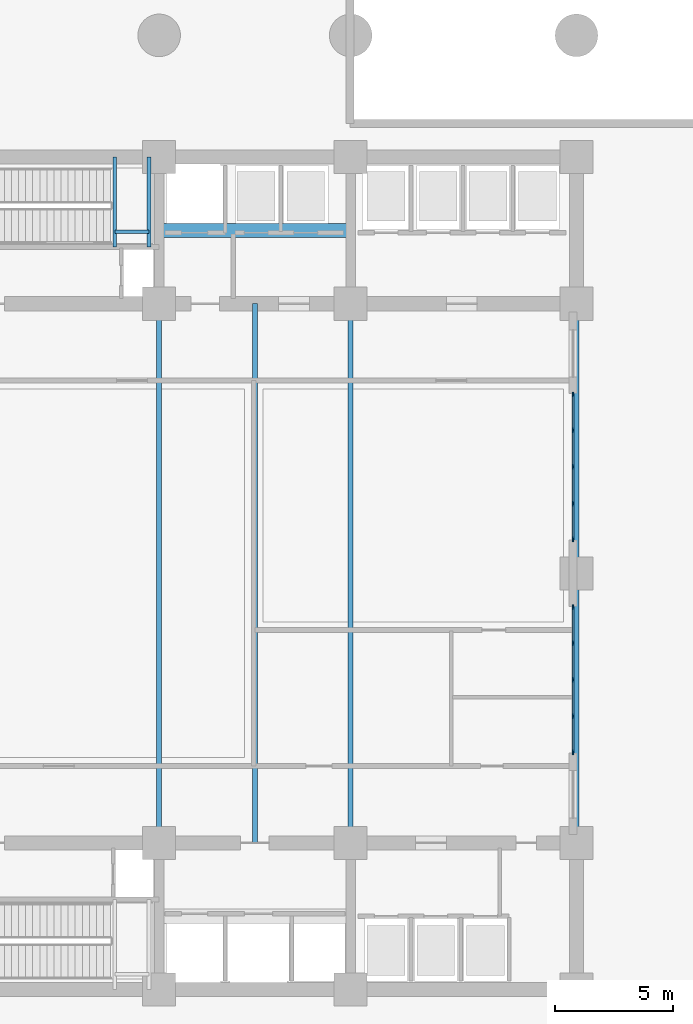
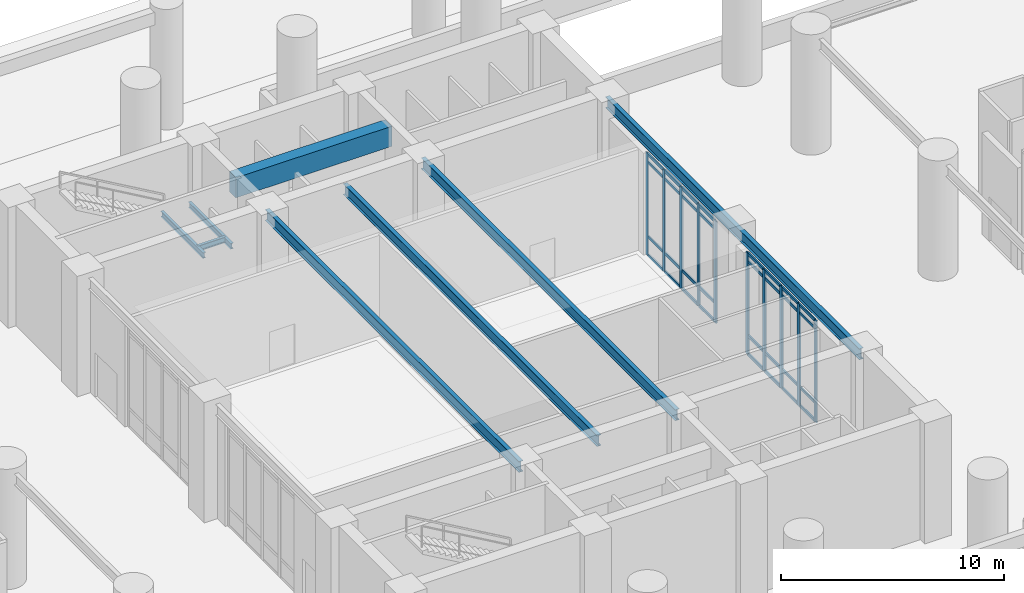
# One storey, part 3 of 16: 42 members, 8 beams, 2 elements without a shape of their own.
"""IFC4 building model written with IfcOpenShell, lengths in metres."""

from ifc_helpers import new_model, si_unit, direction, frame, origin, origin_2d, place, context, subcontext, project, spatial, rectangle, i_section, extrude, material, material_profile, profile_set, type_object, element, aggregate, save


model = new_model("IFC4")

# Units and contexts
model_context = context("Model", 3, precision=1e-05, world=origin(), true_north=direction((0.0, 1.0)))
body_context = subcontext(model_context, "Body", "Model", "MODEL_VIEW")
ifc_project = project(units=[si_unit("LENGTHUNIT", "METRE"), si_unit("AREAUNIT", "SQUARE_METRE"), si_unit("VOLUMEUNIT", "CUBIC_METRE"), si_unit("PLANEANGLEUNIT", "RADIAN"), si_unit("MASSUNIT", "GRAM", prefix="KILO")], contexts=[model_context])

# Site, building, storey
site_placement = place(None, origin())
site = spatial("IfcSite", under=ifc_project, at=site_placement, CompositionType="ELEMENT")
building_placement = place(site_placement, origin())
building = spatial("IfcBuilding", under=site, at=building_placement, Name="Svetorya Sky Lyceum", CompositionType="ELEMENT")
storey_placement = place(building_placement, origin())
storey = spatial("IfcBuildingStorey", under=building, at=storey_placement, Name="L00", CompositionType="ELEMENT", Elevation=0.0)

# Beams
ifc_material_1 = material(Name="Concrete C60/75", Category="concrete")
ifc_material_profile_1 = material_profile(ifc_material_1, rectangle(XDim=0.60009765625, YDim=1.10009765625, at=origin_2d()), Name="RC COUPLING 600x1100")
ifc_profile_set_1 = profile_set([ifc_material_profile_1], Name="Concrete C60/75")
beam_type_1 = type_object("IfcBeamType", Name="BM-CPL-1100", PredefinedType="LINTEL", material=ifc_profile_set_1)
beam_1_placement = place(storey_placement, frame((35.14990234375, 42.699951171875, 5.75), z_axis=(1.0, 0.0, 0.0), x_axis=(0.0, 1.0, 0.0)))
element("IfcBeam", 1, at=beam_1_placement, inside=storey, type_object=beam_type_1, Name="L00 NC Core Coupling Beam", PredefinedType="LINTEL", context=body_context, shape_type="SweptSolid", body=[
    extrude(rectangle(XDim=0.60009765625, YDim=1.10009765625, at=origin_2d()), origin(), (0.0, 0.0, 1.0), 8.10009765625),
])
ifc_material_2 = material(Name="Steel S355", Category="steel")
ifc_material_profile_2 = material_profile(ifc_material_2, i_section(OverallWidth=0.14990234375, OverallDepth=0.299072265625, WebThickness=0.006591796875, FlangeThickness=0.010498046875, at=origin_2d()), Name="GOST 30B2")
ifc_profile_set_2 = profile_set([ifc_material_profile_2], Name="Steel S355")
beam_type_2 = type_object("IfcBeamType", Name="BM-STL-30B2", PredefinedType="JOIST", material=ifc_profile_set_2)
for number, where, z_axis, x_axis, name in (
    (2, (33.280029296875, 42.0, 2.950439453125), (0.0, 1.0, 0.0), (-1.0, 0.0, 0.0), "L00 Stair ST-N Half-Landing Support Beam 2.1"),
    (3, (34.719970703125, 42.0, 2.950439453125), (0.0, 1.0, 0.0), (-1.0, 0.0, 0.0), "L00 Stair ST-N Half-Landing Support Beam 2.2"),
):
    element("IfcBeam", number, at=place(storey_placement, frame(where, z_axis=z_axis, x_axis=x_axis)), inside=storey, type_object=beam_type_2, Name=name, PredefinedType="JOIST", context=body_context, shape_type="SweptSolid", body=[
        extrude(i_section(OverallWidth=0.14990234375, OverallDepth=0.299072265625, WebThickness=0.006591796875, FlangeThickness=0.010498046875, at=origin_2d()), origin(), (0.0, 0.0, 1.0), 3.800048828125),
    ])
beam_2_placement = place(storey_placement, frame((33.280029296875, 42.64990234375, 2.950439453125), z_axis=(1.0, 0.0, 0.0), x_axis=(0.0, 1.0, 0.0)))
element("IfcBeam", 4, at=beam_2_placement, inside=storey, type_object=beam_type_2, Name="L00 Stair ST-N Half-Landing Cross Tie 2", PredefinedType="JOIST", context=body_context, shape_type="SweptSolid", body=[
    extrude(i_section(OverallWidth=0.14990234375, OverallDepth=0.299072265625, WebThickness=0.006591796875, FlangeThickness=0.010498046875, at=origin_2d()), origin(), (0.0, 0.0, 1.0), 1.43994140625),
])
ifc_material_profile_3 = material_profile(ifc_material_2, i_section(OverallWidth=0.215087890625, OverallDepth=0.60009765625, WebThickness=0.011962890625, FlangeThickness=0.01904296875, at=origin_2d()), Name="GOST 60B2")
ifc_profile_set_3 = profile_set([ifc_material_profile_3], Name="Steel S355")
beam_type_3 = type_object("IfcBeamType", Name="BM-STL-60B2", PredefinedType="BEAM", material=ifc_profile_set_3)
for number, where, z_axis, x_axis, name in (
    (5, (35.14990234375, 16.800048828125, 6.0), (0.0, 1.0, 0.0), (-1.0, 0.0, 0.0), "L00 Lyceum Hall Steel Girder HG-3"),
    (6, (39.199951171875, 16.800048828125, 6.0), (0.0, 1.0, 0.0), (-1.0, 0.0, 0.0), "L00 Lyceum Hall Steel Girder HG-4"),
    (7, (43.25, 16.800048828125, 6.0), (0.0, 1.0, 0.0), (-1.0, 0.0, 0.0), "L00 Lyceum Hall Steel Girder HG-5"),
    (8, (52.800048828125, 16.800048828125, 6.0), (0.0, 1.0, 0.0), (-1.0, 0.0, 0.0), "L00 Lyceum Hall Steel Girder HG-6"),
):
    element("IfcBeam", number, at=place(storey_placement, frame(where, z_axis=z_axis, x_axis=x_axis)), inside=storey, type_object=beam_type_3, Name=name, PredefinedType="BEAM", context=body_context, shape_type="SweptSolid", body=[
        extrude(i_section(OverallWidth=0.215087890625, OverallDepth=0.60009765625, WebThickness=0.011962890625, FlangeThickness=0.01904296875, at=origin_2d()), origin(), (0.0, 0.0, 1.0), 22.800048828125),
    ])

# Curtain wall, members
ifc_material_3 = material(Name="Thermally broken anodized aluminium and triple low-E glass", Category="aluminium")
curtain_wall_type = type_object("IfcCurtainWallType", Name="CW1-POD-FOY", PredefinedType="NOTDEFINED", material=ifc_material_3)
curtain_wall_1_placement = place(storey_placement, origin())
curtain_wall_1 = element("IfcCurtainWall", 9, at=curtain_wall_1_placement, inside=storey, type_object=curtain_wall_type, Name="Pilotis Foyer Curtain Wall CW-1.E1", PredefinedType="NOTDEFINED")
ifc_material_4 = material(Name="Thermally broken anodized aluminium EN AW-6060", Category="aluminium")
ifc_material_profile_4 = material_profile(ifc_material_4, rectangle(XDim=0.074951171875, YDim=0.2099609375, at=origin_2d()), Name="ALU MULLION 75x210")
ifc_profile_set_4 = profile_set([ifc_material_profile_4], Name="Thermally broken anodized aluminium EN AW-6060")
member_type_1 = type_object("IfcMemberType", Name="CWM-MUL-210", PredefinedType="MULLION", material=ifc_profile_set_4)
member_1_placement = place(storey_placement, frame((52.64990234375, 20.637451171875, 0.0), z_axis=(0.0, 0.0, 1.0), x_axis=(-1.0, 0.0, 0.0)))
member_1 = element("IfcMember", 10, at=member_1_placement, type_object=member_type_1, Name="CW-1 mullion 1", PredefinedType="MULLION", context=body_context, shape_type="SweptSolid", body=[
    extrude(rectangle(XDim=0.074951171875, YDim=0.2099609375, at=origin_2d()), origin(), (0.0, 0.0, 1.0), 5.580078125),
])
member_2_placement = place(storey_placement, frame((52.64990234375, 22.14990234375, 0.0), z_axis=(0.0, 0.0, 1.0), x_axis=(-1.0, 0.0, 0.0)))
member_2 = element("IfcMember", 11, at=member_2_placement, type_object=member_type_1, Name="CW-1 mullion 2", PredefinedType="MULLION", context=body_context, shape_type="SweptSolid", body=[
    extrude(rectangle(XDim=0.074951171875, YDim=0.2099609375, at=origin_2d()), origin(), (0.0, 0.0, 1.0), 5.580078125),
])
member_3_placement = place(storey_placement, frame((52.64990234375, 23.699951171875, 0.0), z_axis=(0.0, 0.0, 1.0), x_axis=(-1.0, 0.0, 0.0)))
member_3 = element("IfcMember", 12, at=member_3_placement, type_object=member_type_1, Name="CW-1 mullion 3", PredefinedType="MULLION", context=body_context, shape_type="SweptSolid", body=[
    extrude(rectangle(XDim=0.074951171875, YDim=0.2099609375, at=origin_2d()), origin(), (0.0, 0.0, 1.0), 5.580078125),
])
member_4_placement = place(storey_placement, frame((52.64990234375, 25.25, 0.0), z_axis=(0.0, 0.0, 1.0), x_axis=(-1.0, 0.0, 0.0)))
member_4 = element("IfcMember", 13, at=member_4_placement, type_object=member_type_1, Name="CW-1 mullion 4", PredefinedType="MULLION", context=body_context, shape_type="SweptSolid", body=[
    extrude(rectangle(XDim=0.074951171875, YDim=0.2099609375, at=origin_2d()), origin(), (0.0, 0.0, 1.0), 5.580078125),
])
member_5_placement = place(storey_placement, frame((52.64990234375, 26.762451171875, 0.0), z_axis=(0.0, 0.0, 1.0), x_axis=(-1.0, 0.0, 0.0)))
member_5 = element("IfcMember", 14, at=member_5_placement, type_object=member_type_1, Name="CW-1 mullion 5", PredefinedType="MULLION", context=body_context, shape_type="SweptSolid", body=[
    extrude(rectangle(XDim=0.074951171875, YDim=0.2099609375, at=origin_2d()), origin(), (0.0, 0.0, 1.0), 5.580078125),
])

curtain_wall_2_placement = place(storey_placement, origin())
curtain_wall_2 = element("IfcCurtainWall", 15, at=curtain_wall_2_placement, inside=storey, type_object=curtain_wall_type, Name="Pilotis Foyer Curtain Wall CW-1.E2", PredefinedType="NOTDEFINED")
member_6_placement = place(storey_placement, frame((52.64990234375, 29.637451171875, 0.0), z_axis=(0.0, 0.0, 1.0), x_axis=(-1.0, 0.0, 0.0)))
member_6 = element("IfcMember", 16, at=member_6_placement, type_object=member_type_1, Name="CW-1 mullion 1", PredefinedType="MULLION", context=body_context, shape_type="SweptSolid", body=[
    extrude(rectangle(XDim=0.074951171875, YDim=0.2099609375, at=origin_2d()), origin(), (0.0, 0.0, 1.0), 5.580078125),
])
member_7_placement = place(storey_placement, frame((52.64990234375, 31.14990234375, 0.0), z_axis=(0.0, 0.0, 1.0), x_axis=(-1.0, 0.0, 0.0)))
member_7 = element("IfcMember", 17, at=member_7_placement, type_object=member_type_1, Name="CW-1 mullion 2", PredefinedType="MULLION", context=body_context, shape_type="SweptSolid", body=[
    extrude(rectangle(XDim=0.074951171875, YDim=0.2099609375, at=origin_2d()), origin(), (0.0, 0.0, 1.0), 5.580078125),
])
member_8_placement = place(storey_placement, frame((52.64990234375, 32.699951171875, 0.0), z_axis=(0.0, 0.0, 1.0), x_axis=(-1.0, 0.0, 0.0)))
member_8 = element("IfcMember", 18, at=member_8_placement, type_object=member_type_1, Name="CW-1 mullion 3", PredefinedType="MULLION", context=body_context, shape_type="SweptSolid", body=[
    extrude(rectangle(XDim=0.074951171875, YDim=0.2099609375, at=origin_2d()), origin(), (0.0, 0.0, 1.0), 5.580078125),
])
member_9_placement = place(storey_placement, frame((52.64990234375, 34.25, 0.0), z_axis=(0.0, 0.0, 1.0), x_axis=(-1.0, 0.0, 0.0)))
member_9 = element("IfcMember", 19, at=member_9_placement, type_object=member_type_1, Name="CW-1 mullion 4", PredefinedType="MULLION", context=body_context, shape_type="SweptSolid", body=[
    extrude(rectangle(XDim=0.074951171875, YDim=0.2099609375, at=origin_2d()), origin(), (0.0, 0.0, 1.0), 5.580078125),
])
member_10_placement = place(storey_placement, frame((52.64990234375, 35.762451171875, 0.0), z_axis=(0.0, 0.0, 1.0), x_axis=(-1.0, 0.0, 0.0)))
member_10 = element("IfcMember", 20, at=member_10_placement, type_object=member_type_1, Name="CW-1 mullion 5", PredefinedType="MULLION", context=body_context, shape_type="SweptSolid", body=[
    extrude(rectangle(XDim=0.074951171875, YDim=0.2099609375, at=origin_2d()), origin(), (0.0, 0.0, 1.0), 5.580078125),
])

# Member
ifc_material_profile_5 = material_profile(ifc_material_4, rectangle(XDim=0.074951171875, YDim=0.159912109375, at=origin_2d()), Name="ALU TRANSOM 75x160")
ifc_profile_set_5 = profile_set([ifc_material_profile_5], Name="Thermally broken anodized aluminium EN AW-6060")
member_type_2 = type_object("IfcMemberType", Name="CWM-TRN-160", PredefinedType="USERDEFINED", material=ifc_profile_set_5)
member_11_placement = place(storey_placement, frame((52.64990234375, 20.673583984375, 0.03759765625), z_axis=(0.0, 1.0, 0.0), x_axis=(-1.0, 0.0, 0.0)))
member_11 = element("IfcMember", 21, at=member_11_placement, type_object=member_type_2, Name="CW-1 transom 1.1", ObjectType="TRANSOM", PredefinedType="USERDEFINED", context=body_context, shape_type="SweptSolid", body=[
    extrude(rectangle(XDim=0.074951171875, YDim=0.159912109375, at=origin_2d()), origin(), (0.0, 0.0, 1.0), 1.4404296875),
])

member_12_placement = place(storey_placement, frame((52.64990234375, 20.673583984375, 1.050048828125), z_axis=(0.0, 1.0, 0.0), x_axis=(-1.0, 0.0, 0.0)))
member_12 = element("IfcMember", 22, at=member_12_placement, type_object=member_type_2, Name="CW-1 transom 1.2", ObjectType="TRANSOM", PredefinedType="USERDEFINED", context=body_context, shape_type="SweptSolid", body=[
    extrude(rectangle(XDim=0.074951171875, YDim=0.159912109375, at=origin_2d()), origin(), (0.0, 0.0, 1.0), 1.4404296875),
])

member_13_placement = place(storey_placement, frame((52.64990234375, 20.673583984375, 5.1298828125), z_axis=(0.0, 1.0, 0.0), x_axis=(-1.0, 0.0, 0.0)))
member_13 = element("IfcMember", 23, at=member_13_placement, type_object=member_type_2, Name="CW-1 transom 1.3", ObjectType="TRANSOM", PredefinedType="USERDEFINED", context=body_context, shape_type="SweptSolid", body=[
    extrude(rectangle(XDim=0.074951171875, YDim=0.159912109375, at=origin_2d()), origin(), (0.0, 0.0, 1.0), 1.4404296875),
])

member_14_placement = place(storey_placement, frame((52.64990234375, 20.673583984375, 5.54248046875), z_axis=(0.0, 1.0, 0.0), x_axis=(-1.0, 0.0, 0.0)))
member_14 = element("IfcMember", 24, at=member_14_placement, type_object=member_type_2, Name="CW-1 transom 1.4", ObjectType="TRANSOM", PredefinedType="USERDEFINED", context=body_context, shape_type="SweptSolid", body=[
    extrude(rectangle(XDim=0.074951171875, YDim=0.159912109375, at=origin_2d()), origin(), (0.0, 0.0, 1.0), 1.4404296875),
])

member_15_placement = place(storey_placement, frame((52.64990234375, 22.18603515625, 0.03759765625), z_axis=(0.0, 1.0, 0.0), x_axis=(-1.0, 0.0, 0.0)))
member_15 = element("IfcMember", 25, at=member_15_placement, type_object=member_type_2, Name="CW-1 transom 2.1", ObjectType="TRANSOM", PredefinedType="USERDEFINED", context=body_context, shape_type="SweptSolid", body=[
    extrude(rectangle(XDim=0.074951171875, YDim=0.159912109375, at=origin_2d()), origin(), (0.0, 0.0, 1.0), 1.47802734375),
])

member_16_placement = place(storey_placement, frame((52.64990234375, 22.18603515625, 1.050048828125), z_axis=(0.0, 1.0, 0.0), x_axis=(-1.0, 0.0, 0.0)))
member_16 = element("IfcMember", 26, at=member_16_placement, type_object=member_type_2, Name="CW-1 transom 2.2", ObjectType="TRANSOM", PredefinedType="USERDEFINED", context=body_context, shape_type="SweptSolid", body=[
    extrude(rectangle(XDim=0.074951171875, YDim=0.159912109375, at=origin_2d()), origin(), (0.0, 0.0, 1.0), 1.47802734375),
])

member_17_placement = place(storey_placement, frame((52.64990234375, 22.18603515625, 5.1298828125), z_axis=(0.0, 1.0, 0.0), x_axis=(-1.0, 0.0, 0.0)))
member_17 = element("IfcMember", 27, at=member_17_placement, type_object=member_type_2, Name="CW-1 transom 2.3", ObjectType="TRANSOM", PredefinedType="USERDEFINED", context=body_context, shape_type="SweptSolid", body=[
    extrude(rectangle(XDim=0.074951171875, YDim=0.159912109375, at=origin_2d()), origin(), (0.0, 0.0, 1.0), 1.47802734375),
])

member_18_placement = place(storey_placement, frame((52.64990234375, 22.18603515625, 5.54248046875), z_axis=(0.0, 1.0, 0.0), x_axis=(-1.0, 0.0, 0.0)))
member_18 = element("IfcMember", 28, at=member_18_placement, type_object=member_type_2, Name="CW-1 transom 2.4", ObjectType="TRANSOM", PredefinedType="USERDEFINED", context=body_context, shape_type="SweptSolid", body=[
    extrude(rectangle(XDim=0.074951171875, YDim=0.159912109375, at=origin_2d()), origin(), (0.0, 0.0, 1.0), 1.47802734375),
])

member_19_placement = place(storey_placement, frame((52.64990234375, 23.736083984375, 0.03759765625), z_axis=(0.0, 1.0, 0.0), x_axis=(-1.0, 0.0, 0.0)))
member_19 = element("IfcMember", 29, at=member_19_placement, type_object=member_type_2, Name="CW-1 transom 3.1", ObjectType="TRANSOM", PredefinedType="USERDEFINED", context=body_context, shape_type="SweptSolid", body=[
    extrude(rectangle(XDim=0.074951171875, YDim=0.159912109375, at=origin_2d()), origin(), (0.0, 0.0, 1.0), 1.47802734375),
])

member_20_placement = place(storey_placement, frame((52.64990234375, 23.736083984375, 1.050048828125), z_axis=(0.0, 1.0, 0.0), x_axis=(-1.0, 0.0, 0.0)))
member_20 = element("IfcMember", 30, at=member_20_placement, type_object=member_type_2, Name="CW-1 transom 3.2", ObjectType="TRANSOM", PredefinedType="USERDEFINED", context=body_context, shape_type="SweptSolid", body=[
    extrude(rectangle(XDim=0.074951171875, YDim=0.159912109375, at=origin_2d()), origin(), (0.0, 0.0, 1.0), 1.47802734375),
])

member_21_placement = place(storey_placement, frame((52.64990234375, 23.736083984375, 5.1298828125), z_axis=(0.0, 1.0, 0.0), x_axis=(-1.0, 0.0, 0.0)))
member_21 = element("IfcMember", 31, at=member_21_placement, type_object=member_type_2, Name="CW-1 transom 3.3", ObjectType="TRANSOM", PredefinedType="USERDEFINED", context=body_context, shape_type="SweptSolid", body=[
    extrude(rectangle(XDim=0.074951171875, YDim=0.159912109375, at=origin_2d()), origin(), (0.0, 0.0, 1.0), 1.47802734375),
])

member_22_placement = place(storey_placement, frame((52.64990234375, 23.736083984375, 5.54248046875), z_axis=(0.0, 1.0, 0.0), x_axis=(-1.0, 0.0, 0.0)))
member_22 = element("IfcMember", 32, at=member_22_placement, type_object=member_type_2, Name="CW-1 transom 3.4", ObjectType="TRANSOM", PredefinedType="USERDEFINED", context=body_context, shape_type="SweptSolid", body=[
    extrude(rectangle(XDim=0.074951171875, YDim=0.159912109375, at=origin_2d()), origin(), (0.0, 0.0, 1.0), 1.47802734375),
])

member_23_placement = place(storey_placement, frame((52.64990234375, 25.285888671875, 0.03759765625), z_axis=(0.0, 1.0, 0.0), x_axis=(-1.0, 0.0, 0.0)))
member_23 = element("IfcMember", 33, at=member_23_placement, type_object=member_type_2, Name="CW-1 transom 4.1", ObjectType="TRANSOM", PredefinedType="USERDEFINED", context=body_context, shape_type="SweptSolid", body=[
    extrude(rectangle(XDim=0.074951171875, YDim=0.159912109375, at=origin_2d()), origin(), (0.0, 0.0, 1.0), 1.440673828125),
])

member_24_placement = place(storey_placement, frame((52.64990234375, 25.285888671875, 1.050048828125), z_axis=(0.0, 1.0, 0.0), x_axis=(-1.0, 0.0, 0.0)))
member_24 = element("IfcMember", 34, at=member_24_placement, type_object=member_type_2, Name="CW-1 transom 4.2", ObjectType="TRANSOM", PredefinedType="USERDEFINED", context=body_context, shape_type="SweptSolid", body=[
    extrude(rectangle(XDim=0.074951171875, YDim=0.159912109375, at=origin_2d()), origin(), (0.0, 0.0, 1.0), 1.440673828125),
])

member_25_placement = place(storey_placement, frame((52.64990234375, 25.285888671875, 5.1298828125), z_axis=(0.0, 1.0, 0.0), x_axis=(-1.0, 0.0, 0.0)))
member_25 = element("IfcMember", 35, at=member_25_placement, type_object=member_type_2, Name="CW-1 transom 4.3", ObjectType="TRANSOM", PredefinedType="USERDEFINED", context=body_context, shape_type="SweptSolid", body=[
    extrude(rectangle(XDim=0.074951171875, YDim=0.159912109375, at=origin_2d()), origin(), (0.0, 0.0, 1.0), 1.440673828125),
])

member_26_placement = place(storey_placement, frame((52.64990234375, 25.285888671875, 5.54248046875), z_axis=(0.0, 1.0, 0.0), x_axis=(-1.0, 0.0, 0.0)))
member_26 = element("IfcMember", 36, at=member_26_placement, type_object=member_type_2, Name="CW-1 transom 4.4", ObjectType="TRANSOM", PredefinedType="USERDEFINED", context=body_context, shape_type="SweptSolid", body=[
    extrude(rectangle(XDim=0.074951171875, YDim=0.159912109375, at=origin_2d()), origin(), (0.0, 0.0, 1.0), 1.440673828125),
])

aggregate(curtain_wall_1, [member_1, member_2, member_3, member_4, member_5, member_11, member_12, member_13, member_14, member_15, member_16, member_17, member_18, member_19, member_20, member_21, member_22, member_23, member_24, member_25, member_26])

member_27_placement = place(storey_placement, frame((52.64990234375, 29.673583984375, 0.03759765625), z_axis=(0.0, 1.0, 0.0), x_axis=(-1.0, 0.0, 0.0)))
member_27 = element("IfcMember", 37, at=member_27_placement, type_object=member_type_2, Name="CW-1 transom 1.1", ObjectType="TRANSOM", PredefinedType="USERDEFINED", context=body_context, shape_type="SweptSolid", body=[
    extrude(rectangle(XDim=0.074951171875, YDim=0.159912109375, at=origin_2d()), origin(), (0.0, 0.0, 1.0), 1.4404296875),
])

member_28_placement = place(storey_placement, frame((52.64990234375, 29.673583984375, 1.050048828125), z_axis=(0.0, 1.0, 0.0), x_axis=(-1.0, 0.0, 0.0)))
member_28 = element("IfcMember", 38, at=member_28_placement, type_object=member_type_2, Name="CW-1 transom 1.2", ObjectType="TRANSOM", PredefinedType="USERDEFINED", context=body_context, shape_type="SweptSolid", body=[
    extrude(rectangle(XDim=0.074951171875, YDim=0.159912109375, at=origin_2d()), origin(), (0.0, 0.0, 1.0), 1.4404296875),
])

member_29_placement = place(storey_placement, frame((52.64990234375, 29.673583984375, 5.1298828125), z_axis=(0.0, 1.0, 0.0), x_axis=(-1.0, 0.0, 0.0)))
member_29 = element("IfcMember", 39, at=member_29_placement, type_object=member_type_2, Name="CW-1 transom 1.3", ObjectType="TRANSOM", PredefinedType="USERDEFINED", context=body_context, shape_type="SweptSolid", body=[
    extrude(rectangle(XDim=0.074951171875, YDim=0.159912109375, at=origin_2d()), origin(), (0.0, 0.0, 1.0), 1.4404296875),
])

member_30_placement = place(storey_placement, frame((52.64990234375, 29.673583984375, 5.54248046875), z_axis=(0.0, 1.0, 0.0), x_axis=(-1.0, 0.0, 0.0)))
member_30 = element("IfcMember", 40, at=member_30_placement, type_object=member_type_2, Name="CW-1 transom 1.4", ObjectType="TRANSOM", PredefinedType="USERDEFINED", context=body_context, shape_type="SweptSolid", body=[
    extrude(rectangle(XDim=0.074951171875, YDim=0.159912109375, at=origin_2d()), origin(), (0.0, 0.0, 1.0), 1.4404296875),
])

member_31_placement = place(storey_placement, frame((52.64990234375, 31.18603515625, 0.03759765625), z_axis=(0.0, 1.0, 0.0), x_axis=(-1.0, 0.0, 0.0)))
member_31 = element("IfcMember", 41, at=member_31_placement, type_object=member_type_2, Name="CW-1 transom 2.1", ObjectType="TRANSOM", PredefinedType="USERDEFINED", context=body_context, shape_type="SweptSolid", body=[
    extrude(rectangle(XDim=0.074951171875, YDim=0.159912109375, at=origin_2d()), origin(), (0.0, 0.0, 1.0), 1.47802734375),
])

member_32_placement = place(storey_placement, frame((52.64990234375, 31.18603515625, 1.050048828125), z_axis=(0.0, 1.0, 0.0), x_axis=(-1.0, 0.0, 0.0)))
member_32 = element("IfcMember", 42, at=member_32_placement, type_object=member_type_2, Name="CW-1 transom 2.2", ObjectType="TRANSOM", PredefinedType="USERDEFINED", context=body_context, shape_type="SweptSolid", body=[
    extrude(rectangle(XDim=0.074951171875, YDim=0.159912109375, at=origin_2d()), origin(), (0.0, 0.0, 1.0), 1.47802734375),
])

member_33_placement = place(storey_placement, frame((52.64990234375, 31.18603515625, 5.1298828125), z_axis=(0.0, 1.0, 0.0), x_axis=(-1.0, 0.0, 0.0)))
member_33 = element("IfcMember", 43, at=member_33_placement, type_object=member_type_2, Name="CW-1 transom 2.3", ObjectType="TRANSOM", PredefinedType="USERDEFINED", context=body_context, shape_type="SweptSolid", body=[
    extrude(rectangle(XDim=0.074951171875, YDim=0.159912109375, at=origin_2d()), origin(), (0.0, 0.0, 1.0), 1.47802734375),
])

member_34_placement = place(storey_placement, frame((52.64990234375, 31.18603515625, 5.54248046875), z_axis=(0.0, 1.0, 0.0), x_axis=(-1.0, 0.0, 0.0)))
member_34 = element("IfcMember", 44, at=member_34_placement, type_object=member_type_2, Name="CW-1 transom 2.4", ObjectType="TRANSOM", PredefinedType="USERDEFINED", context=body_context, shape_type="SweptSolid", body=[
    extrude(rectangle(XDim=0.074951171875, YDim=0.159912109375, at=origin_2d()), origin(), (0.0, 0.0, 1.0), 1.47802734375),
])

member_35_placement = place(storey_placement, frame((52.64990234375, 32.736083984375, 0.03759765625), z_axis=(0.0, 1.0, 0.0), x_axis=(-1.0, 0.0, 0.0)))
member_35 = element("IfcMember", 45, at=member_35_placement, type_object=member_type_2, Name="CW-1 transom 3.1", ObjectType="TRANSOM", PredefinedType="USERDEFINED", context=body_context, shape_type="SweptSolid", body=[
    extrude(rectangle(XDim=0.074951171875, YDim=0.159912109375, at=origin_2d()), origin(), (0.0, 0.0, 1.0), 1.47802734375),
])

member_36_placement = place(storey_placement, frame((52.64990234375, 32.736083984375, 1.050048828125), z_axis=(0.0, 1.0, 0.0), x_axis=(-1.0, 0.0, 0.0)))
member_36 = element("IfcMember", 46, at=member_36_placement, type_object=member_type_2, Name="CW-1 transom 3.2", ObjectType="TRANSOM", PredefinedType="USERDEFINED", context=body_context, shape_type="SweptSolid", body=[
    extrude(rectangle(XDim=0.074951171875, YDim=0.159912109375, at=origin_2d()), origin(), (0.0, 0.0, 1.0), 1.47802734375),
])

member_37_placement = place(storey_placement, frame((52.64990234375, 32.736083984375, 5.1298828125), z_axis=(0.0, 1.0, 0.0), x_axis=(-1.0, 0.0, 0.0)))
member_37 = element("IfcMember", 47, at=member_37_placement, type_object=member_type_2, Name="CW-1 transom 3.3", ObjectType="TRANSOM", PredefinedType="USERDEFINED", context=body_context, shape_type="SweptSolid", body=[
    extrude(rectangle(XDim=0.074951171875, YDim=0.159912109375, at=origin_2d()), origin(), (0.0, 0.0, 1.0), 1.47802734375),
])

member_38_placement = place(storey_placement, frame((52.64990234375, 32.736083984375, 5.54248046875), z_axis=(0.0, 1.0, 0.0), x_axis=(-1.0, 0.0, 0.0)))
member_38 = element("IfcMember", 48, at=member_38_placement, type_object=member_type_2, Name="CW-1 transom 3.4", ObjectType="TRANSOM", PredefinedType="USERDEFINED", context=body_context, shape_type="SweptSolid", body=[
    extrude(rectangle(XDim=0.074951171875, YDim=0.159912109375, at=origin_2d()), origin(), (0.0, 0.0, 1.0), 1.47802734375),
])

member_39_placement = place(storey_placement, frame((52.64990234375, 34.285888671875, 0.03759765625), z_axis=(0.0, 1.0, 0.0), x_axis=(-1.0, 0.0, 0.0)))
member_39 = element("IfcMember", 49, at=member_39_placement, type_object=member_type_2, Name="CW-1 transom 4.1", ObjectType="TRANSOM", PredefinedType="USERDEFINED", context=body_context, shape_type="SweptSolid", body=[
    extrude(rectangle(XDim=0.074951171875, YDim=0.159912109375, at=origin_2d()), origin(), (0.0, 0.0, 1.0), 1.440673828125),
])

member_40_placement = place(storey_placement, frame((52.64990234375, 34.285888671875, 1.050048828125), z_axis=(0.0, 1.0, 0.0), x_axis=(-1.0, 0.0, 0.0)))
member_40 = element("IfcMember", 50, at=member_40_placement, type_object=member_type_2, Name="CW-1 transom 4.2", ObjectType="TRANSOM", PredefinedType="USERDEFINED", context=body_context, shape_type="SweptSolid", body=[
    extrude(rectangle(XDim=0.074951171875, YDim=0.159912109375, at=origin_2d()), origin(), (0.0, 0.0, 1.0), 1.440673828125),
])

member_41_placement = place(storey_placement, frame((52.64990234375, 34.285888671875, 5.1298828125), z_axis=(0.0, 1.0, 0.0), x_axis=(-1.0, 0.0, 0.0)))
member_41 = element("IfcMember", 51, at=member_41_placement, type_object=member_type_2, Name="CW-1 transom 4.3", ObjectType="TRANSOM", PredefinedType="USERDEFINED", context=body_context, shape_type="SweptSolid", body=[
    extrude(rectangle(XDim=0.074951171875, YDim=0.159912109375, at=origin_2d()), origin(), (0.0, 0.0, 1.0), 1.440673828125),
])

member_42_placement = place(storey_placement, frame((52.64990234375, 34.285888671875, 5.54248046875), z_axis=(0.0, 1.0, 0.0), x_axis=(-1.0, 0.0, 0.0)))
member_42 = element("IfcMember", 52, at=member_42_placement, type_object=member_type_2, Name="CW-1 transom 4.4", ObjectType="TRANSOM", PredefinedType="USERDEFINED", context=body_context, shape_type="SweptSolid", body=[
    extrude(rectangle(XDim=0.074951171875, YDim=0.159912109375, at=origin_2d()), origin(), (0.0, 0.0, 1.0), 1.440673828125),
])

aggregate(curtain_wall_2, [member_6, member_7, member_8, member_9, member_10, member_27, member_28, member_29, member_30, member_31, member_32, member_33, member_34, member_35, member_36, member_37, member_38, member_39, member_40, member_41, member_42])

save(model, "model.ifc")
